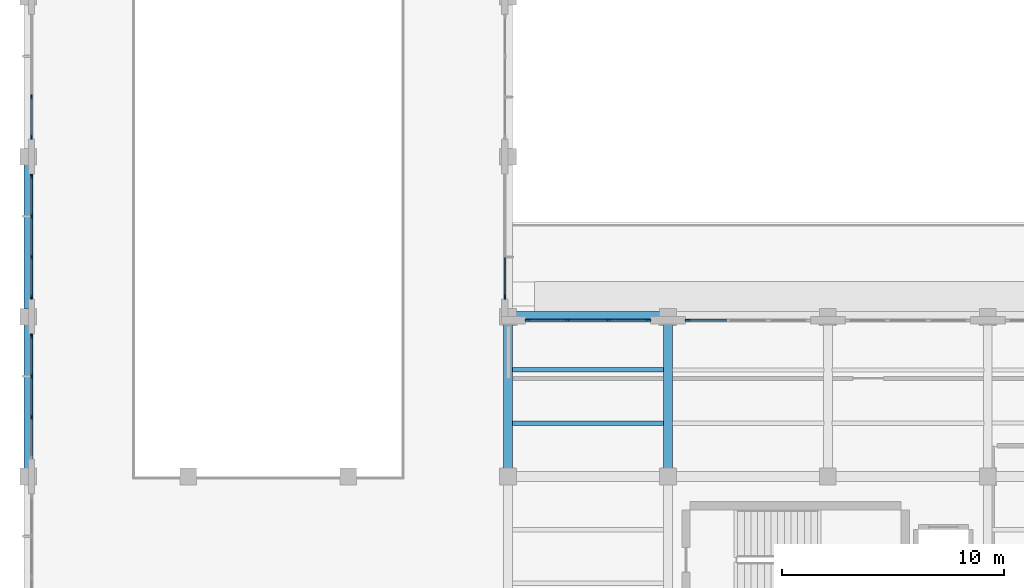
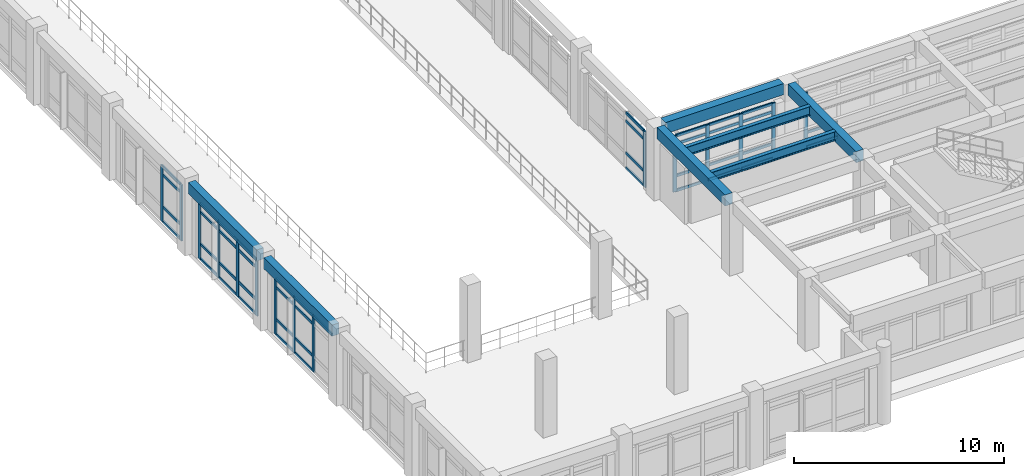
# One storey, part 4 of 64: 58 members, 7 beams, 6 elements without a shape of their own.
"""IFC4 building model written with IfcOpenShell, lengths in metres."""

from ifc_helpers import new_model, si_unit, direction, frame, origin, origin_2d, place, context, subcontext, project, spatial, rectangle, i_section, extrude, material, layer, layer_set, material_profile, profile_set, type_object, element, aggregate, save


model = new_model("IFC4")

# Units and contexts
model_context = context("Model", 3, precision=1e-05, world=origin(), true_north=direction((0.0, 1.0)))
body_context = subcontext(model_context, "Body", "Model", "MODEL_VIEW")
ifc_project = project(units=[si_unit("LENGTHUNIT", "METRE"), si_unit("AREAUNIT", "SQUARE_METRE"), si_unit("VOLUMEUNIT", "CUBIC_METRE"), si_unit("PLANEANGLEUNIT", "RADIAN"), si_unit("MASSUNIT", "GRAM", prefix="KILO")], contexts=[model_context])

# Site, building, storey
site_placement = place(None, origin())
site = spatial("IfcSite", under=ifc_project, at=site_placement, CompositionType="ELEMENT")
building_placement = place(site_placement, origin())
building = spatial("IfcBuilding", under=site, at=building_placement, Name="Solenvale Faculty of Natural Sciences", CompositionType="ELEMENT")
storey_placement = place(building_placement, frame((0.0, 0.0, 18.0)))
storey = spatial("IfcBuildingStorey", under=building, at=storey_placement, Name="L04", CompositionType="ELEMENT", Elevation=18.0)

# Beams
ifc_material_1 = material(Name="Concrete 40 MPa", Category="concrete")
ifc_material_profile_1 = material_profile(ifc_material_1, rectangle(XDim=0.39990234375, YDim=0.64990234375, at=origin_2d()), Name="RC-BM-400x650")
ifc_profile_set_1 = profile_set([ifc_material_profile_1], Name="Concrete 40 MPa")
beam_type_1 = type_object("IfcBeamType", Name="BM-RC-400x650", PredefinedType="BEAM", material=ifc_profile_set_1)
for number, where, z_axis, x_axis, name in (
    (1, (36.0, 29.155029296875, 3.89501953125), (0.0, 1.0, 0.0), (-1.0, 0.0, 0.0), "L04 Y-Girder X36.0 (28.8..36.0)"),
    (2, (36.0, 36.35498046875, 3.89501953125), (0.0, 1.0, 0.0), (-1.0, 0.0, 0.0), "L04 Y-Girder X36.0 (36.0..43.2)"),
    (3, (57.60009765625, 29.155029296875, 3.89501953125), (0.0, 1.0, 0.0), (-1.0, 0.0, 0.0), "L04 Y-Girder X57.6 (28.8..36.0)"),
    (4, (64.800048828125, 29.155029296875, 3.89501953125), (0.0, 1.0, 0.0), (-1.0, 0.0, 0.0), "L04 Y-Girder X64.8 (28.8..36.0)"),
):
    element("IfcBeam", number, at=place(storey_placement, frame(where, z_axis=z_axis, x_axis=x_axis)), inside=storey, type_object=beam_type_1, Name=name, PredefinedType="BEAM", context=body_context, shape_type="SweptSolid", body=[
        extrude(rectangle(XDim=0.39990234375, YDim=0.64990234375, at=origin_2d()), origin(), (0.0, 0.0, 1.0), 6.489990234375),
    ])
ifc_material_profile_2 = material_profile(ifc_material_1, rectangle(XDim=0.449951171875, YDim=0.64990234375, at=origin_2d()), Name="RC-BM-450x650")
ifc_profile_set_2 = profile_set([ifc_material_profile_2], Name="Concrete 40 MPa")
beam_type_2 = type_object("IfcBeamType", Name="BM-RC-450x650", PredefinedType="BEAM", material=ifc_profile_set_2)
beam_placement = place(storey_placement, frame((57.955078125, 36.0, 3.89501953125), z_axis=(1.0, 0.0, 0.0), x_axis=(0.0, 1.0, 0.0)))
element("IfcBeam", 5, at=beam_placement, inside=storey, type_object=beam_type_2, Name="L04 X-Girder Y36.0 (57.6..64.8)", PredefinedType="BEAM", context=body_context, shape_type="SweptSolid", body=[
    extrude(rectangle(XDim=0.449951171875, YDim=0.64990234375, at=origin_2d()), origin(), (0.0, 0.0, 1.0), 6.489990234375),
])
ifc_material_2 = material(Name="Steel S355", Category="steel")
ifc_material_profile_3 = material_profile(ifc_material_2, i_section(OverallWidth=0.208984375, OverallDepth=0.532958984375, WebThickness=0.01025390625, FlangeThickness=0.015625, FilletRadius=0.01904296875, at=origin_2d()), Name="W530x92")
ifc_profile_set_3 = profile_set([ifc_material_profile_3], Name="Steel S355")
beam_type_3 = type_object("IfcBeamType", Name="BM-STL-W530x92", PredefinedType="JOIST", material=ifc_profile_set_3)
for number, where, z_axis, x_axis, name in (
    (6, (57.780029296875, 31.199951171875, 3.95361328125), (1.0, 0.0, 0.0), (0.0, 1.0, 0.0), "L04 Composite Floor Joist (9,5).1"),
    (7, (57.780029296875, 33.60009765625, 3.95361328125), (1.0, 0.0, 0.0), (0.0, 1.0, 0.0), "L04 Composite Floor Joist (9,5).2"),
):
    element("IfcBeam", number, at=place(storey_placement, frame(where, z_axis=z_axis, x_axis=x_axis)), inside=storey, type_object=beam_type_3, Name=name, PredefinedType="JOIST", context=body_context, shape_type="SweptSolid", body=[
        extrude(i_section(OverallWidth=0.208984375, OverallDepth=0.532958984375, WebThickness=0.01025390625, FlangeThickness=0.015625, FilletRadius=0.01904296875, at=origin_2d()), origin(), (0.0, 0.0, 1.0), 6.840087890625),
    ])

# Curtain wall, member
ifc_material_3 = material(Name="Anodised bronze aluminium", Category="aluminium")
ifc_layer_1 = layer(ifc_material_3, 0.215087890625)
ifc_layer_set_1 = layer_set([ifc_layer_1], Name="Anodised bronze aluminium")
curtain_wall_type_1 = type_object("IfcCurtainWallType", Name="CW-ATR-UNIT", PredefinedType="USERDEFINED", material=ifc_layer_set_1)
curtain_wall_1_placement = place(storey_placement, origin())
curtain_wall_1 = element("IfcCurtainWall", 8, at=curtain_wall_1_placement, inside=storey, type_object=curtain_wall_type_1, Name="L04 Curtain Wall CW-L04-P1-E1-B1", ObjectType="UNITISED CURTAIN WALL", PredefinedType="USERDEFINED")
ifc_material_profile_4 = material_profile(ifc_material_3, rectangle(XDim=0.074951171875, YDim=0.2099609375, at=origin_2d()), Name="ALU-MUL-75x210")
ifc_profile_set_4 = profile_set([ifc_material_profile_4], Name="Anodised bronze aluminium")
member_type_1 = type_object("IfcMemberType", Name="CWM-ALU-75x210", PredefinedType="MULLION", material=ifc_profile_set_4)
member_1_placement = place(storey_placement, frame((57.45751953125, 36.887451171875, 0.0), z_axis=(0.0, 0.0, 1.0), x_axis=(-1.0, 0.0, 0.0)))
member_1 = element("IfcMember", 9, at=member_1_placement, type_object=member_type_1, Name="CW-01 mullion 1", PredefinedType="MULLION", context=body_context, shape_type="SweptSolid", body=[
    extrude(rectangle(XDim=0.074951171875, YDim=0.2099609375, at=origin_2d()), origin(), (0.0, 0.0, 1.0), 3.260009765625),
])

# Curtain wall, members
curtain_wall_2_placement = place(storey_placement, origin())
curtain_wall_2 = element("IfcCurtainWall", 10, at=curtain_wall_2_placement, inside=storey, type_object=curtain_wall_type_1, Name="L04 Curtain Wall CW-L04-P1-E3-B7", ObjectType="UNITISED CURTAIN WALL", PredefinedType="USERDEFINED")
member_2_placement = place(storey_placement, frame((36.142578125, 45.88330078125, 0.0), z_axis=(0.0, 0.0, 1.0), x_axis=(1.0, 0.0, 0.0)))
member_2 = element("IfcMember", 11, at=member_2_placement, type_object=member_type_1, Name="CW-01 mullion 3", PredefinedType="MULLION", context=body_context, shape_type="SweptSolid", body=[
    extrude(rectangle(XDim=0.074951171875, YDim=0.2099609375, at=origin_2d()), origin(), (0.0, 0.0, 1.0), 3.260009765625),
])
member_3_placement = place(storey_placement, frame((36.142578125, 44.08740234375, 0.0), z_axis=(0.0, 0.0, 1.0), x_axis=(1.0, 0.0, 0.0)))
member_3 = element("IfcMember", 12, at=member_3_placement, type_object=member_type_1, Name="CW-01 mullion 4", PredefinedType="MULLION", context=body_context, shape_type="SweptSolid", body=[
    extrude(rectangle(XDim=0.074951171875, YDim=0.2099609375, at=origin_2d()), origin(), (0.0, 0.0, 1.0), 3.260009765625),
])

curtain_wall_3_placement = place(storey_placement, origin())
curtain_wall_3 = element("IfcCurtainWall", 13, at=curtain_wall_3_placement, inside=storey, type_object=curtain_wall_type_1, Name="L04 Curtain Wall CW-L04-P1-E3-B8", ObjectType="UNITISED CURTAIN WALL", PredefinedType="USERDEFINED")
member_4_placement = place(storey_placement, frame((36.142578125, 42.3125, 0.0), z_axis=(0.0, 0.0, 1.0), x_axis=(1.0, 0.0, 0.0)))
member_4 = element("IfcMember", 14, at=member_4_placement, type_object=member_type_1, Name="CW-01 mullion 1", PredefinedType="MULLION", context=body_context, shape_type="SweptSolid", body=[
    extrude(rectangle(XDim=0.074951171875, YDim=0.2099609375, at=origin_2d()), origin(), (0.0, 0.0, 1.0), 3.260009765625),
])
member_5_placement = place(storey_placement, frame((36.142578125, 40.5166015625, 0.0), z_axis=(0.0, 0.0, 1.0), x_axis=(1.0, 0.0, 0.0)))
member_5 = element("IfcMember", 15, at=member_5_placement, type_object=member_type_1, Name="CW-01 mullion 2", PredefinedType="MULLION", context=body_context, shape_type="SweptSolid", body=[
    extrude(rectangle(XDim=0.074951171875, YDim=0.2099609375, at=origin_2d()), origin(), (0.0, 0.0, 1.0), 3.260009765625),
])
member_6_placement = place(storey_placement, frame((36.142578125, 38.683349609375, 0.0), z_axis=(0.0, 0.0, 1.0), x_axis=(1.0, 0.0, 0.0)))
member_6 = element("IfcMember", 16, at=member_6_placement, type_object=member_type_1, Name="CW-01 mullion 3", PredefinedType="MULLION", context=body_context, shape_type="SweptSolid", body=[
    extrude(rectangle(XDim=0.074951171875, YDim=0.2099609375, at=origin_2d()), origin(), (0.0, 0.0, 1.0), 3.260009765625),
])
member_7_placement = place(storey_placement, frame((36.142578125, 36.887451171875, 0.0), z_axis=(0.0, 0.0, 1.0), x_axis=(1.0, 0.0, 0.0)))
member_7 = element("IfcMember", 17, at=member_7_placement, type_object=member_type_1, Name="CW-01 mullion 4", PredefinedType="MULLION", context=body_context, shape_type="SweptSolid", body=[
    extrude(rectangle(XDim=0.074951171875, YDim=0.2099609375, at=origin_2d()), origin(), (0.0, 0.0, 1.0), 3.260009765625),
])

curtain_wall_4_placement = place(storey_placement, origin())
curtain_wall_4 = element("IfcCurtainWall", 18, at=curtain_wall_4_placement, inside=storey, type_object=curtain_wall_type_1, Name="L04 Curtain Wall CW-L04-P1-E3-B9", ObjectType="UNITISED CURTAIN WALL", PredefinedType="USERDEFINED")
member_8_placement = place(storey_placement, frame((36.142578125, 35.112548828125, 0.0), z_axis=(0.0, 0.0, 1.0), x_axis=(1.0, 0.0, 0.0)))
member_8 = element("IfcMember", 19, at=member_8_placement, type_object=member_type_1, Name="CW-01 mullion 1", PredefinedType="MULLION", context=body_context, shape_type="SweptSolid", body=[
    extrude(rectangle(XDim=0.074951171875, YDim=0.2099609375, at=origin_2d()), origin(), (0.0, 0.0, 1.0), 3.260009765625),
])
member_9_placement = place(storey_placement, frame((36.142578125, 33.316650390625, 0.0), z_axis=(0.0, 0.0, 1.0), x_axis=(1.0, 0.0, 0.0)))
member_9 = element("IfcMember", 20, at=member_9_placement, type_object=member_type_1, Name="CW-01 mullion 2", PredefinedType="MULLION", context=body_context, shape_type="SweptSolid", body=[
    extrude(rectangle(XDim=0.074951171875, YDim=0.2099609375, at=origin_2d()), origin(), (0.0, 0.0, 1.0), 3.260009765625),
])
member_10_placement = place(storey_placement, frame((36.142578125, 31.4833984375, 0.0), z_axis=(0.0, 0.0, 1.0), x_axis=(1.0, 0.0, 0.0)))
member_10 = element("IfcMember", 21, at=member_10_placement, type_object=member_type_1, Name="CW-01 mullion 3", PredefinedType="MULLION", context=body_context, shape_type="SweptSolid", body=[
    extrude(rectangle(XDim=0.074951171875, YDim=0.2099609375, at=origin_2d()), origin(), (0.0, 0.0, 1.0), 3.260009765625),
])

# Curtain wall, member
ifc_layer_2 = layer(ifc_material_3, 0.18994140625)
ifc_layer_set_2 = layer_set([ifc_layer_2], Name="Anodised bronze aluminium")
curtain_wall_type_2 = type_object("IfcCurtainWallType", Name="CW-TRAY-REC", PredefinedType="USERDEFINED", material=ifc_layer_set_2)
curtain_wall_5_placement = place(storey_placement, origin())
curtain_wall_5 = element("IfcCurtainWall", 22, at=curtain_wall_5_placement, inside=storey, type_object=curtain_wall_type_2, Name="L04 Curtain Wall CW-L04-P1-E8-B7", ObjectType="UNITISED CURTAIN WALL", PredefinedType="USERDEFINED")
member_11_placement = place(storey_placement, frame((65.6875, 35.83740234375, 0.0), z_axis=(0.0, 0.0, 1.0), x_axis=(0.0, -1.0, 0.0)))
member_11 = element("IfcMember", 23, at=member_11_placement, type_object=member_type_1, Name="CW-02 mullion 4", PredefinedType="MULLION", context=body_context, shape_type="SweptSolid", body=[
    extrude(rectangle(XDim=0.074951171875, YDim=0.2099609375, at=origin_2d()), origin(), (0.0, 0.0, 1.0), 3.260009765625),
])

# Curtain wall, members
curtain_wall_6_placement = place(storey_placement, origin())
curtain_wall_6 = element("IfcCurtainWall", 24, at=curtain_wall_6_placement, inside=storey, type_object=curtain_wall_type_2, Name="L04 Curtain Wall CW-L04-P1-E8-B8", ObjectType="UNITISED CURTAIN WALL", PredefinedType="USERDEFINED")
member_12_placement = place(storey_placement, frame((63.91259765625, 35.83740234375, 0.0), z_axis=(0.0, 0.0, 1.0), x_axis=(0.0, -1.0, 0.0)))
member_12 = element("IfcMember", 25, at=member_12_placement, type_object=member_type_1, Name="CW-02 mullion 1", PredefinedType="MULLION", context=body_context, shape_type="SweptSolid", body=[
    extrude(rectangle(XDim=0.074951171875, YDim=0.2099609375, at=origin_2d()), origin(), (0.0, 0.0, 1.0), 3.260009765625),
])
member_13_placement = place(storey_placement, frame((62.11669921875, 35.83740234375, 0.0), z_axis=(0.0, 0.0, 1.0), x_axis=(0.0, -1.0, 0.0)))
member_13 = element("IfcMember", 26, at=member_13_placement, type_object=member_type_1, Name="CW-02 mullion 2", PredefinedType="MULLION", context=body_context, shape_type="SweptSolid", body=[
    extrude(rectangle(XDim=0.074951171875, YDim=0.2099609375, at=origin_2d()), origin(), (0.0, 0.0, 1.0), 3.260009765625),
])
member_14_placement = place(storey_placement, frame((60.283447265625, 35.83740234375, 0.0), z_axis=(0.0, 0.0, 1.0), x_axis=(0.0, -1.0, 0.0)))
member_14 = element("IfcMember", 27, at=member_14_placement, type_object=member_type_1, Name="CW-02 mullion 3", PredefinedType="MULLION", context=body_context, shape_type="SweptSolid", body=[
    extrude(rectangle(XDim=0.074951171875, YDim=0.2099609375, at=origin_2d()), origin(), (0.0, 0.0, 1.0), 3.260009765625),
])
member_15_placement = place(storey_placement, frame((58.487548828125, 35.83740234375, 0.0), z_axis=(0.0, 0.0, 1.0), x_axis=(0.0, -1.0, 0.0)))
member_15 = element("IfcMember", 28, at=member_15_placement, type_object=member_type_1, Name="CW-02 mullion 4", PredefinedType="MULLION", context=body_context, shape_type="SweptSolid", body=[
    extrude(rectangle(XDim=0.074951171875, YDim=0.2099609375, at=origin_2d()), origin(), (0.0, 0.0, 1.0), 3.260009765625),
])

# Member
ifc_material_profile_5 = material_profile(ifc_material_3, rectangle(XDim=0.074951171875, YDim=0.155029296875, at=origin_2d()), Name="ALU-TRN-75x155")
ifc_profile_set_5 = profile_set([ifc_material_profile_5], Name="Anodised bronze aluminium")
member_type_2 = type_object("IfcMemberType", Name="CWT-ALU-75x155", PredefinedType="USERDEFINED", material=ifc_profile_set_5)
member_16_placement = place(storey_placement, frame((57.45751953125, 36.925048828125, 0.03759765625), z_axis=(0.0, 1.0, 0.0), x_axis=(-1.0, 0.0, 0.0)))
member_16 = element("IfcMember", 29, at=member_16_placement, type_object=member_type_2, Name="CW-01 transom 1.1", ObjectType="TRANSOM", PredefinedType="USERDEFINED", context=body_context, shape_type="SweptSolid", body=[
    extrude(rectangle(XDim=0.074951171875, YDim=0.155029296875, at=origin_2d()), origin(), (0.0, 0.0, 1.0), 1.720703125),
])

member_17_placement = place(storey_placement, frame((57.45751953125, 36.925048828125, 0.89990234375), z_axis=(0.0, 1.0, 0.0), x_axis=(-1.0, 0.0, 0.0)))
member_17 = element("IfcMember", 30, at=member_17_placement, type_object=member_type_2, Name="CW-01 transom 1.2", ObjectType="TRANSOM", PredefinedType="USERDEFINED", context=body_context, shape_type="SweptSolid", body=[
    extrude(rectangle(XDim=0.074951171875, YDim=0.155029296875, at=origin_2d()), origin(), (0.0, 0.0, 1.0), 1.720703125),
])

member_18_placement = place(storey_placement, frame((57.45751953125, 36.925048828125, 2.760009765625), z_axis=(0.0, 1.0, 0.0), x_axis=(-1.0, 0.0, 0.0)))
member_18 = element("IfcMember", 31, at=member_18_placement, type_object=member_type_2, Name="CW-01 transom 1.3", ObjectType="TRANSOM", PredefinedType="USERDEFINED", context=body_context, shape_type="SweptSolid", body=[
    extrude(rectangle(XDim=0.074951171875, YDim=0.155029296875, at=origin_2d()), origin(), (0.0, 0.0, 1.0), 1.720703125),
])

member_19_placement = place(storey_placement, frame((57.45751953125, 36.925048828125, 3.222412109375), z_axis=(0.0, 1.0, 0.0), x_axis=(-1.0, 0.0, 0.0)))
member_19 = element("IfcMember", 32, at=member_19_placement, type_object=member_type_2, Name="CW-01 transom 1.4", ObjectType="TRANSOM", PredefinedType="USERDEFINED", context=body_context, shape_type="SweptSolid", body=[
    extrude(rectangle(XDim=0.074951171875, YDim=0.155029296875, at=origin_2d()), origin(), (0.0, 0.0, 1.0), 1.720703125),
])

aggregate(curtain_wall_1, [member_1, member_16, member_17, member_18, member_19])

member_20_placement = place(storey_placement, frame((36.142578125, 45.845947265625, 0.03759765625), z_axis=(0.0, -1.0, 0.0), x_axis=(1.0, 0.0, 0.0)))
member_20 = element("IfcMember", 33, at=member_20_placement, type_object=member_type_2, Name="CW-01 transom 3.1", ObjectType="TRANSOM", PredefinedType="USERDEFINED", context=body_context, shape_type="SweptSolid", body=[
    extrude(rectangle(XDim=0.074951171875, YDim=0.155029296875, at=origin_2d()), origin(), (0.0, 0.0, 1.0), 1.720947265625),
])

member_21_placement = place(storey_placement, frame((36.142578125, 45.845947265625, 0.89990234375), z_axis=(0.0, -1.0, 0.0), x_axis=(1.0, 0.0, 0.0)))
member_21 = element("IfcMember", 34, at=member_21_placement, type_object=member_type_2, Name="CW-01 transom 3.2", ObjectType="TRANSOM", PredefinedType="USERDEFINED", context=body_context, shape_type="SweptSolid", body=[
    extrude(rectangle(XDim=0.074951171875, YDim=0.155029296875, at=origin_2d()), origin(), (0.0, 0.0, 1.0), 1.720947265625),
])

member_22_placement = place(storey_placement, frame((36.142578125, 45.845947265625, 2.760009765625), z_axis=(0.0, -1.0, 0.0), x_axis=(1.0, 0.0, 0.0)))
member_22 = element("IfcMember", 35, at=member_22_placement, type_object=member_type_2, Name="CW-01 transom 3.3", ObjectType="TRANSOM", PredefinedType="USERDEFINED", context=body_context, shape_type="SweptSolid", body=[
    extrude(rectangle(XDim=0.074951171875, YDim=0.155029296875, at=origin_2d()), origin(), (0.0, 0.0, 1.0), 1.720947265625),
])

member_23_placement = place(storey_placement, frame((36.142578125, 45.845947265625, 3.222412109375), z_axis=(0.0, -1.0, 0.0), x_axis=(1.0, 0.0, 0.0)))
member_23 = element("IfcMember", 36, at=member_23_placement, type_object=member_type_2, Name="CW-01 transom 3.4", ObjectType="TRANSOM", PredefinedType="USERDEFINED", context=body_context, shape_type="SweptSolid", body=[
    extrude(rectangle(XDim=0.074951171875, YDim=0.155029296875, at=origin_2d()), origin(), (0.0, 0.0, 1.0), 1.720947265625),
])

aggregate(curtain_wall_2, [member_2, member_3, member_20, member_21, member_22, member_23])

member_24_placement = place(storey_placement, frame((36.142578125, 42.27490234375, 0.03759765625), z_axis=(0.0, -1.0, 0.0), x_axis=(1.0, 0.0, 0.0)))
member_24 = element("IfcMember", 37, at=member_24_placement, type_object=member_type_2, Name="CW-01 transom 1.1", ObjectType="TRANSOM", PredefinedType="USERDEFINED", context=body_context, shape_type="SweptSolid", body=[
    extrude(rectangle(XDim=0.074951171875, YDim=0.155029296875, at=origin_2d()), origin(), (0.0, 0.0, 1.0), 1.720703125),
])

member_25_placement = place(storey_placement, frame((36.142578125, 42.27490234375, 0.89990234375), z_axis=(0.0, -1.0, 0.0), x_axis=(1.0, 0.0, 0.0)))
member_25 = element("IfcMember", 38, at=member_25_placement, type_object=member_type_2, Name="CW-01 transom 1.2", ObjectType="TRANSOM", PredefinedType="USERDEFINED", context=body_context, shape_type="SweptSolid", body=[
    extrude(rectangle(XDim=0.074951171875, YDim=0.155029296875, at=origin_2d()), origin(), (0.0, 0.0, 1.0), 1.720703125),
])

member_26_placement = place(storey_placement, frame((36.142578125, 42.27490234375, 2.760009765625), z_axis=(0.0, -1.0, 0.0), x_axis=(1.0, 0.0, 0.0)))
member_26 = element("IfcMember", 39, at=member_26_placement, type_object=member_type_2, Name="CW-01 transom 1.3", ObjectType="TRANSOM", PredefinedType="USERDEFINED", context=body_context, shape_type="SweptSolid", body=[
    extrude(rectangle(XDim=0.074951171875, YDim=0.155029296875, at=origin_2d()), origin(), (0.0, 0.0, 1.0), 1.720703125),
])

member_27_placement = place(storey_placement, frame((36.142578125, 42.27490234375, 3.222412109375), z_axis=(0.0, -1.0, 0.0), x_axis=(1.0, 0.0, 0.0)))
member_27 = element("IfcMember", 40, at=member_27_placement, type_object=member_type_2, Name="CW-01 transom 1.4", ObjectType="TRANSOM", PredefinedType="USERDEFINED", context=body_context, shape_type="SweptSolid", body=[
    extrude(rectangle(XDim=0.074951171875, YDim=0.155029296875, at=origin_2d()), origin(), (0.0, 0.0, 1.0), 1.720703125),
])

member_28_placement = place(storey_placement, frame((36.142578125, 40.479248046875, 0.03759765625), z_axis=(0.0, -1.0, 0.0), x_axis=(1.0, 0.0, 0.0)))
member_28 = element("IfcMember", 41, at=member_28_placement, type_object=member_type_2, Name="CW-01 transom 2.1", ObjectType="TRANSOM", PredefinedType="USERDEFINED", context=body_context, shape_type="SweptSolid", body=[
    extrude(rectangle(XDim=0.074951171875, YDim=0.155029296875, at=origin_2d()), origin(), (0.0, 0.0, 1.0), 1.75830078125),
])

member_29_placement = place(storey_placement, frame((36.142578125, 40.479248046875, 0.89990234375), z_axis=(0.0, -1.0, 0.0), x_axis=(1.0, 0.0, 0.0)))
member_29 = element("IfcMember", 42, at=member_29_placement, type_object=member_type_2, Name="CW-01 transom 2.2", ObjectType="TRANSOM", PredefinedType="USERDEFINED", context=body_context, shape_type="SweptSolid", body=[
    extrude(rectangle(XDim=0.074951171875, YDim=0.155029296875, at=origin_2d()), origin(), (0.0, 0.0, 1.0), 1.75830078125),
])

member_30_placement = place(storey_placement, frame((36.142578125, 40.479248046875, 2.760009765625), z_axis=(0.0, -1.0, 0.0), x_axis=(1.0, 0.0, 0.0)))
member_30 = element("IfcMember", 43, at=member_30_placement, type_object=member_type_2, Name="CW-01 transom 2.3", ObjectType="TRANSOM", PredefinedType="USERDEFINED", context=body_context, shape_type="SweptSolid", body=[
    extrude(rectangle(XDim=0.074951171875, YDim=0.155029296875, at=origin_2d()), origin(), (0.0, 0.0, 1.0), 1.75830078125),
])

member_31_placement = place(storey_placement, frame((36.142578125, 40.479248046875, 3.222412109375), z_axis=(0.0, -1.0, 0.0), x_axis=(1.0, 0.0, 0.0)))
member_31 = element("IfcMember", 44, at=member_31_placement, type_object=member_type_2, Name="CW-01 transom 2.4", ObjectType="TRANSOM", PredefinedType="USERDEFINED", context=body_context, shape_type="SweptSolid", body=[
    extrude(rectangle(XDim=0.074951171875, YDim=0.155029296875, at=origin_2d()), origin(), (0.0, 0.0, 1.0), 1.75830078125),
])

member_32_placement = place(storey_placement, frame((36.142578125, 38.645751953125, 0.03759765625), z_axis=(0.0, -1.0, 0.0), x_axis=(1.0, 0.0, 0.0)))
member_32 = element("IfcMember", 45, at=member_32_placement, type_object=member_type_2, Name="CW-01 transom 3.1", ObjectType="TRANSOM", PredefinedType="USERDEFINED", context=body_context, shape_type="SweptSolid", body=[
    extrude(rectangle(XDim=0.074951171875, YDim=0.155029296875, at=origin_2d()), origin(), (0.0, 0.0, 1.0), 1.720703125),
])

member_33_placement = place(storey_placement, frame((36.142578125, 38.645751953125, 0.89990234375), z_axis=(0.0, -1.0, 0.0), x_axis=(1.0, 0.0, 0.0)))
member_33 = element("IfcMember", 46, at=member_33_placement, type_object=member_type_2, Name="CW-01 transom 3.2", ObjectType="TRANSOM", PredefinedType="USERDEFINED", context=body_context, shape_type="SweptSolid", body=[
    extrude(rectangle(XDim=0.074951171875, YDim=0.155029296875, at=origin_2d()), origin(), (0.0, 0.0, 1.0), 1.720703125),
])

member_34_placement = place(storey_placement, frame((36.142578125, 38.645751953125, 2.760009765625), z_axis=(0.0, -1.0, 0.0), x_axis=(1.0, 0.0, 0.0)))
member_34 = element("IfcMember", 47, at=member_34_placement, type_object=member_type_2, Name="CW-01 transom 3.3", ObjectType="TRANSOM", PredefinedType="USERDEFINED", context=body_context, shape_type="SweptSolid", body=[
    extrude(rectangle(XDim=0.074951171875, YDim=0.155029296875, at=origin_2d()), origin(), (0.0, 0.0, 1.0), 1.720703125),
])

member_35_placement = place(storey_placement, frame((36.142578125, 38.645751953125, 3.222412109375), z_axis=(0.0, -1.0, 0.0), x_axis=(1.0, 0.0, 0.0)))
member_35 = element("IfcMember", 48, at=member_35_placement, type_object=member_type_2, Name="CW-01 transom 3.4", ObjectType="TRANSOM", PredefinedType="USERDEFINED", context=body_context, shape_type="SweptSolid", body=[
    extrude(rectangle(XDim=0.074951171875, YDim=0.155029296875, at=origin_2d()), origin(), (0.0, 0.0, 1.0), 1.720703125),
])

aggregate(curtain_wall_3, [member_4, member_5, member_6, member_7, member_24, member_25, member_26, member_27, member_28, member_29, member_30, member_31, member_32, member_33, member_34, member_35])

member_36_placement = place(storey_placement, frame((36.142578125, 35.074951171875, 0.03759765625), z_axis=(0.0, -1.0, 0.0), x_axis=(1.0, 0.0, 0.0)))
member_36 = element("IfcMember", 49, at=member_36_placement, type_object=member_type_2, Name="CW-01 transom 1.1", ObjectType="TRANSOM", PredefinedType="USERDEFINED", context=body_context, shape_type="SweptSolid", body=[
    extrude(rectangle(XDim=0.074951171875, YDim=0.155029296875, at=origin_2d()), origin(), (0.0, 0.0, 1.0), 1.720703125),
])

member_37_placement = place(storey_placement, frame((36.142578125, 35.074951171875, 0.89990234375), z_axis=(0.0, -1.0, 0.0), x_axis=(1.0, 0.0, 0.0)))
member_37 = element("IfcMember", 50, at=member_37_placement, type_object=member_type_2, Name="CW-01 transom 1.2", ObjectType="TRANSOM", PredefinedType="USERDEFINED", context=body_context, shape_type="SweptSolid", body=[
    extrude(rectangle(XDim=0.074951171875, YDim=0.155029296875, at=origin_2d()), origin(), (0.0, 0.0, 1.0), 1.720703125),
])

member_38_placement = place(storey_placement, frame((36.142578125, 35.074951171875, 2.760009765625), z_axis=(0.0, -1.0, 0.0), x_axis=(1.0, 0.0, 0.0)))
member_38 = element("IfcMember", 51, at=member_38_placement, type_object=member_type_2, Name="CW-01 transom 1.3", ObjectType="TRANSOM", PredefinedType="USERDEFINED", context=body_context, shape_type="SweptSolid", body=[
    extrude(rectangle(XDim=0.074951171875, YDim=0.155029296875, at=origin_2d()), origin(), (0.0, 0.0, 1.0), 1.720703125),
])

member_39_placement = place(storey_placement, frame((36.142578125, 35.074951171875, 3.222412109375), z_axis=(0.0, -1.0, 0.0), x_axis=(1.0, 0.0, 0.0)))
member_39 = element("IfcMember", 52, at=member_39_placement, type_object=member_type_2, Name="CW-01 transom 1.4", ObjectType="TRANSOM", PredefinedType="USERDEFINED", context=body_context, shape_type="SweptSolid", body=[
    extrude(rectangle(XDim=0.074951171875, YDim=0.155029296875, at=origin_2d()), origin(), (0.0, 0.0, 1.0), 1.720703125),
])

member_40_placement = place(storey_placement, frame((36.142578125, 33.279052734375, 0.03759765625), z_axis=(0.0, -1.0, 0.0), x_axis=(1.0, 0.0, 0.0)))
member_40 = element("IfcMember", 53, at=member_40_placement, type_object=member_type_2, Name="CW-01 transom 2.1", ObjectType="TRANSOM", PredefinedType="USERDEFINED", context=body_context, shape_type="SweptSolid", body=[
    extrude(rectangle(XDim=0.074951171875, YDim=0.155029296875, at=origin_2d()), origin(), (0.0, 0.0, 1.0), 1.75830078125),
])

member_41_placement = place(storey_placement, frame((36.142578125, 33.279052734375, 0.89990234375), z_axis=(0.0, -1.0, 0.0), x_axis=(1.0, 0.0, 0.0)))
member_41 = element("IfcMember", 54, at=member_41_placement, type_object=member_type_2, Name="CW-01 transom 2.2", ObjectType="TRANSOM", PredefinedType="USERDEFINED", context=body_context, shape_type="SweptSolid", body=[
    extrude(rectangle(XDim=0.074951171875, YDim=0.155029296875, at=origin_2d()), origin(), (0.0, 0.0, 1.0), 1.75830078125),
])

member_42_placement = place(storey_placement, frame((36.142578125, 33.279052734375, 2.760009765625), z_axis=(0.0, -1.0, 0.0), x_axis=(1.0, 0.0, 0.0)))
member_42 = element("IfcMember", 55, at=member_42_placement, type_object=member_type_2, Name="CW-01 transom 2.3", ObjectType="TRANSOM", PredefinedType="USERDEFINED", context=body_context, shape_type="SweptSolid", body=[
    extrude(rectangle(XDim=0.074951171875, YDim=0.155029296875, at=origin_2d()), origin(), (0.0, 0.0, 1.0), 1.75830078125),
])

member_43_placement = place(storey_placement, frame((36.142578125, 33.279052734375, 3.222412109375), z_axis=(0.0, -1.0, 0.0), x_axis=(1.0, 0.0, 0.0)))
member_43 = element("IfcMember", 56, at=member_43_placement, type_object=member_type_2, Name="CW-01 transom 2.4", ObjectType="TRANSOM", PredefinedType="USERDEFINED", context=body_context, shape_type="SweptSolid", body=[
    extrude(rectangle(XDim=0.074951171875, YDim=0.155029296875, at=origin_2d()), origin(), (0.0, 0.0, 1.0), 1.75830078125),
])

member_44_placement = place(storey_placement, frame((36.142578125, 31.44580078125, 3.222412109375), z_axis=(0.0, -1.0, 0.0), x_axis=(1.0, 0.0, 0.0)))
member_44 = element("IfcMember", 57, at=member_44_placement, type_object=member_type_2, Name="CW-01 transom 3.4", ObjectType="TRANSOM", PredefinedType="USERDEFINED", context=body_context, shape_type="SweptSolid", body=[
    extrude(rectangle(XDim=0.074951171875, YDim=0.155029296875, at=origin_2d()), origin(), (0.0, 0.0, 1.0), 1.720703125),
])

aggregate(curtain_wall_4, [member_8, member_9, member_10, member_36, member_37, member_38, member_39, member_40, member_41, member_42, member_43, member_44])

member_45_placement = place(storey_placement, frame((67.44580078125, 35.83740234375, 0.03759765625), z_axis=(-1.0, 0.0, 0.0), x_axis=(0.0, -1.0, 0.0)))
member_45 = element("IfcMember", 58, at=member_45_placement, type_object=member_type_2, Name="CW-02 transom 3.1", ObjectType="TRANSOM", PredefinedType="USERDEFINED", context=body_context, shape_type="SweptSolid", body=[
    extrude(rectangle(XDim=0.074951171875, YDim=0.155029296875, at=origin_2d()), origin(), (0.0, 0.0, 1.0), 1.720703125),
])

member_46_placement = place(storey_placement, frame((67.44580078125, 35.83740234375, 0.89990234375), z_axis=(-1.0, 0.0, 0.0), x_axis=(0.0, -1.0, 0.0)))
member_46 = element("IfcMember", 59, at=member_46_placement, type_object=member_type_2, Name="CW-02 transom 3.2", ObjectType="TRANSOM", PredefinedType="USERDEFINED", context=body_context, shape_type="SweptSolid", body=[
    extrude(rectangle(XDim=0.074951171875, YDim=0.155029296875, at=origin_2d()), origin(), (0.0, 0.0, 1.0), 1.720703125),
])

aggregate(curtain_wall_5, [member_11, member_45, member_46])

member_47_placement = place(storey_placement, frame((63.875, 35.83740234375, 0.03759765625), z_axis=(-1.0, 0.0, 0.0), x_axis=(0.0, -1.0, 0.0)))
member_47 = element("IfcMember", 60, at=member_47_placement, type_object=member_type_2, Name="CW-02 transom 1.1", ObjectType="TRANSOM", PredefinedType="USERDEFINED", context=body_context, shape_type="SweptSolid", body=[
    extrude(rectangle(XDim=0.074951171875, YDim=0.155029296875, at=origin_2d()), origin(), (0.0, 0.0, 1.0), 1.720947265625),
])

member_48_placement = place(storey_placement, frame((63.875, 35.83740234375, 0.89990234375), z_axis=(-1.0, 0.0, 0.0), x_axis=(0.0, -1.0, 0.0)))
member_48 = element("IfcMember", 61, at=member_48_placement, type_object=member_type_2, Name="CW-02 transom 1.2", ObjectType="TRANSOM", PredefinedType="USERDEFINED", context=body_context, shape_type="SweptSolid", body=[
    extrude(rectangle(XDim=0.074951171875, YDim=0.155029296875, at=origin_2d()), origin(), (0.0, 0.0, 1.0), 1.720947265625),
])

member_49_placement = place(storey_placement, frame((63.875, 35.83740234375, 2.760009765625), z_axis=(-1.0, 0.0, 0.0), x_axis=(0.0, -1.0, 0.0)))
member_49 = element("IfcMember", 62, at=member_49_placement, type_object=member_type_2, Name="CW-02 transom 1.3", ObjectType="TRANSOM", PredefinedType="USERDEFINED", context=body_context, shape_type="SweptSolid", body=[
    extrude(rectangle(XDim=0.074951171875, YDim=0.155029296875, at=origin_2d()), origin(), (0.0, 0.0, 1.0), 1.720947265625),
])

member_50_placement = place(storey_placement, frame((63.875, 35.83740234375, 3.222412109375), z_axis=(-1.0, 0.0, 0.0), x_axis=(0.0, -1.0, 0.0)))
member_50 = element("IfcMember", 63, at=member_50_placement, type_object=member_type_2, Name="CW-02 transom 1.4", ObjectType="TRANSOM", PredefinedType="USERDEFINED", context=body_context, shape_type="SweptSolid", body=[
    extrude(rectangle(XDim=0.074951171875, YDim=0.155029296875, at=origin_2d()), origin(), (0.0, 0.0, 1.0), 1.720947265625),
])

member_51_placement = place(storey_placement, frame((62.0791015625, 35.83740234375, 0.03759765625), z_axis=(-1.0, 0.0, 0.0), x_axis=(0.0, -1.0, 0.0)))
member_51 = element("IfcMember", 64, at=member_51_placement, type_object=member_type_2, Name="CW-02 transom 2.1", ObjectType="TRANSOM", PredefinedType="USERDEFINED", context=body_context, shape_type="SweptSolid", body=[
    extrude(rectangle(XDim=0.074951171875, YDim=0.155029296875, at=origin_2d()), origin(), (0.0, 0.0, 1.0), 1.75830078125),
])

member_52_placement = place(storey_placement, frame((62.0791015625, 35.83740234375, 0.89990234375), z_axis=(-1.0, 0.0, 0.0), x_axis=(0.0, -1.0, 0.0)))
member_52 = element("IfcMember", 65, at=member_52_placement, type_object=member_type_2, Name="CW-02 transom 2.2", ObjectType="TRANSOM", PredefinedType="USERDEFINED", context=body_context, shape_type="SweptSolid", body=[
    extrude(rectangle(XDim=0.074951171875, YDim=0.155029296875, at=origin_2d()), origin(), (0.0, 0.0, 1.0), 1.75830078125),
])

member_53_placement = place(storey_placement, frame((62.0791015625, 35.83740234375, 2.760009765625), z_axis=(-1.0, 0.0, 0.0), x_axis=(0.0, -1.0, 0.0)))
member_53 = element("IfcMember", 66, at=member_53_placement, type_object=member_type_2, Name="CW-02 transom 2.3", ObjectType="TRANSOM", PredefinedType="USERDEFINED", context=body_context, shape_type="SweptSolid", body=[
    extrude(rectangle(XDim=0.074951171875, YDim=0.155029296875, at=origin_2d()), origin(), (0.0, 0.0, 1.0), 1.75830078125),
])

member_54_placement = place(storey_placement, frame((62.0791015625, 35.83740234375, 3.222412109375), z_axis=(-1.0, 0.0, 0.0), x_axis=(0.0, -1.0, 0.0)))
member_54 = element("IfcMember", 67, at=member_54_placement, type_object=member_type_2, Name="CW-02 transom 2.4", ObjectType="TRANSOM", PredefinedType="USERDEFINED", context=body_context, shape_type="SweptSolid", body=[
    extrude(rectangle(XDim=0.074951171875, YDim=0.155029296875, at=origin_2d()), origin(), (0.0, 0.0, 1.0), 1.75830078125),
])

member_55_placement = place(storey_placement, frame((60.245849609375, 35.83740234375, 0.03759765625), z_axis=(-1.0, 0.0, 0.0), x_axis=(0.0, -1.0, 0.0)))
member_55 = element("IfcMember", 68, at=member_55_placement, type_object=member_type_2, Name="CW-02 transom 3.1", ObjectType="TRANSOM", PredefinedType="USERDEFINED", context=body_context, shape_type="SweptSolid", body=[
    extrude(rectangle(XDim=0.074951171875, YDim=0.155029296875, at=origin_2d()), origin(), (0.0, 0.0, 1.0), 1.720947265625),
])

member_56_placement = place(storey_placement, frame((60.245849609375, 35.83740234375, 0.89990234375), z_axis=(-1.0, 0.0, 0.0), x_axis=(0.0, -1.0, 0.0)))
member_56 = element("IfcMember", 69, at=member_56_placement, type_object=member_type_2, Name="CW-02 transom 3.2", ObjectType="TRANSOM", PredefinedType="USERDEFINED", context=body_context, shape_type="SweptSolid", body=[
    extrude(rectangle(XDim=0.074951171875, YDim=0.155029296875, at=origin_2d()), origin(), (0.0, 0.0, 1.0), 1.720947265625),
])

member_57_placement = place(storey_placement, frame((60.245849609375, 35.83740234375, 2.760009765625), z_axis=(-1.0, 0.0, 0.0), x_axis=(0.0, -1.0, 0.0)))
member_57 = element("IfcMember", 70, at=member_57_placement, type_object=member_type_2, Name="CW-02 transom 3.3", ObjectType="TRANSOM", PredefinedType="USERDEFINED", context=body_context, shape_type="SweptSolid", body=[
    extrude(rectangle(XDim=0.074951171875, YDim=0.155029296875, at=origin_2d()), origin(), (0.0, 0.0, 1.0), 1.720947265625),
])

member_58_placement = place(storey_placement, frame((60.245849609375, 35.83740234375, 3.222412109375), z_axis=(-1.0, 0.0, 0.0), x_axis=(0.0, -1.0, 0.0)))
member_58 = element("IfcMember", 71, at=member_58_placement, type_object=member_type_2, Name="CW-02 transom 3.4", ObjectType="TRANSOM", PredefinedType="USERDEFINED", context=body_context, shape_type="SweptSolid", body=[
    extrude(rectangle(XDim=0.074951171875, YDim=0.155029296875, at=origin_2d()), origin(), (0.0, 0.0, 1.0), 1.720947265625),
])

aggregate(curtain_wall_6, [member_12, member_13, member_14, member_15, member_47, member_48, member_49, member_50, member_51, member_52, member_53, member_54, member_55, member_56, member_57, member_58])

save(model, "model.ifc")
